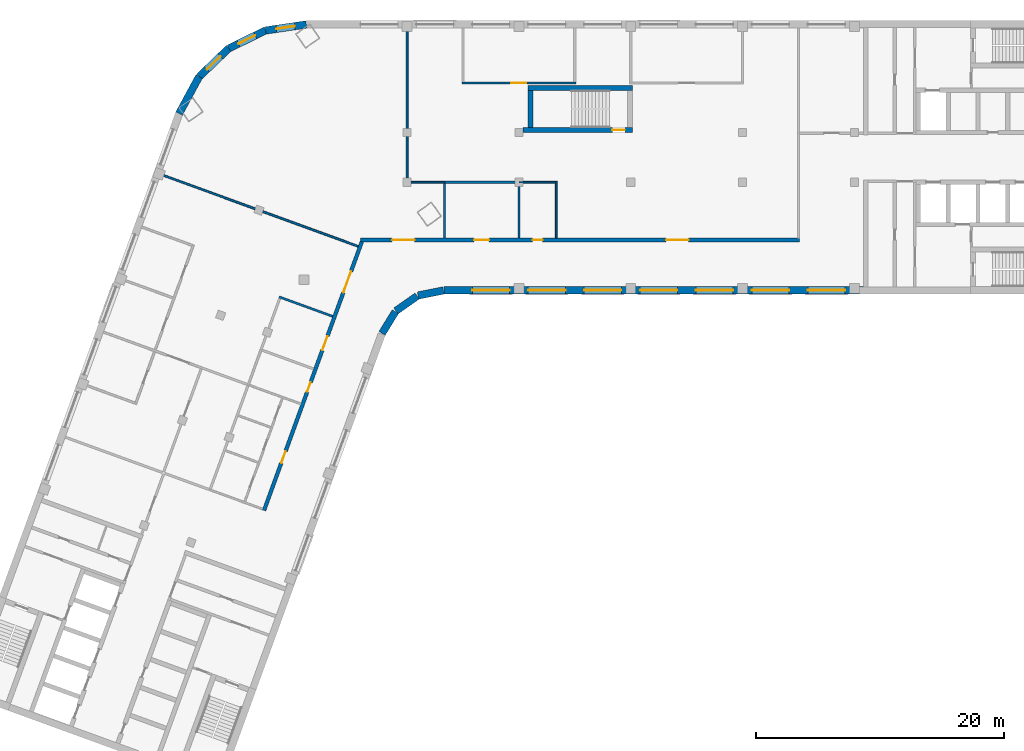
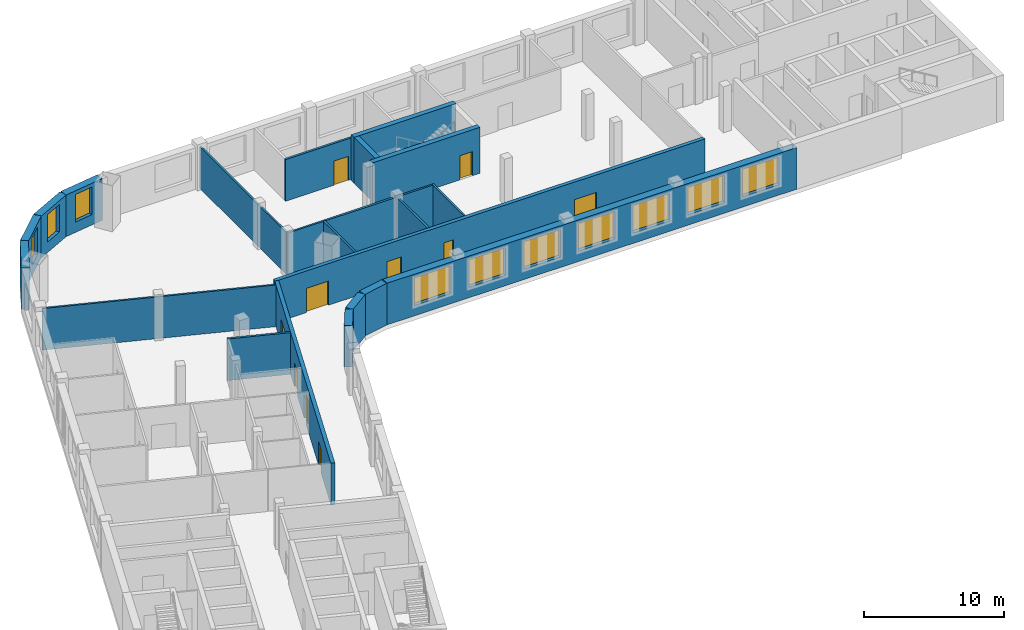
# One storey, part 4 of 8: 23 walls, 10 doors, 10 windows, 20 openings.
"""IFC4 building model written with IfcOpenShell, lengths in metres."""

from ifc_helpers import new_model, si_unit, direction, frame, frame_2d, origin, place, context, subcontext, project, spatial, rectangle, extrude, material, layer, layer_set, type_object, element, fill, save


model = new_model("IFC4")

# Units and contexts
model_context = context("Model", 3, precision=1e-05, world=origin(), true_north=direction((0.0, 1.0)))
body_context = subcontext(model_context, "Body", "Model", "MODEL_VIEW")
ifc_project = project(units=[si_unit("LENGTHUNIT", "METRE"), si_unit("AREAUNIT", "SQUARE_METRE"), si_unit("VOLUMEUNIT", "CUBIC_METRE"), si_unit("PLANEANGLEUNIT", "RADIAN"), si_unit("MASSUNIT", "GRAM", prefix="KILO")], contexts=[model_context])

# Site, building, storey
site_placement = place(None, origin())
site = spatial("IfcSite", under=ifc_project, at=site_placement, CompositionType="ELEMENT")
building_placement = place(site_placement, origin())
building = spatial("IfcBuilding", under=site, at=building_placement, Name="Skarvind Civic Tower", CompositionType="ELEMENT")
storey_placement = place(building_placement, frame((0.0, 0.0, 150.5)))
storey = spatial("IfcBuildingStorey", under=building, at=storey_placement, Name="L35", CompositionType="ELEMENT", Elevation=150.5)

# Walls
ifc_material_1 = material(Name="Acoustic gypsum board on steel studs", Category="steel")
ifc_layer_1 = layer(ifc_material_1, 0.175048828125)
ifc_layer_set_1 = layer_set([ifc_layer_1], Name="ACOUSTIC MEETING-ROOM PARTITION 175")
wall_type_1 = type_object("IfcWallType", Name="ACOUSTIC MEETING-ROOM PARTITION 175", PredefinedType="PARTITIONING", material=ifc_layer_set_1)
wall_1_placement = place(storey_placement, frame((48.260009765625, 115.205078125, 0.0), z_axis=(0.0, 0.0, 1.0), x_axis=(-0.939684589011, 0.34204220964, 0.0)))
element("IfcWall", 1, at=wall_1_placement, inside=storey, type_object=wall_type_1, Name="Partition 35.027", PredefinedType="PARTITIONING", context=body_context, shape_type="SweptSolid", body=[
    extrude(rectangle(XDim=4.586669921875, YDim=0.175048828125, at=frame_2d((2.29345703125, 0.0))), origin(), (0.0, 0.0, 1.0), 3.625),
])
wall_2_placement = place(storey_placement, frame((57.25, 125.9990234375, 0.0), z_axis=(0.0, 0.0, 1.0), x_axis=(0.0, -1.0, 0.0)))
element("IfcWall", 2, at=wall_2_placement, inside=storey, type_object=wall_type_1, Name="Partition 35.032", PredefinedType="PARTITIONING", context=body_context, shape_type="SweptSolid", body=[
    extrude(rectangle(XDim=4.498046875, YDim=0.175048828125, at=frame_2d((2.2490234375, 0.0))), origin(), (0.0, 0.0, 1.0), 3.625),
])
wall_3_placement = place(storey_placement, frame((63.25, 121.5, 0.0), z_axis=(0.0, 0.0, 1.0), x_axis=(0.0, 1.0, 0.0)))
element("IfcWall", 3, at=wall_3_placement, inside=storey, type_object=wall_type_1, Name="Partition 35.034", PredefinedType="PARTITIONING", context=body_context, shape_type="SweptSolid", body=[
    extrude(rectangle(XDim=4.412109375, YDim=0.175048828125, at=frame_2d((2.2060546875, 0.0))), origin(), (0.0, 0.0, 1.0), 3.625),
])
wall_4_placement = place(storey_placement, frame((63.25, 126.0, 0.0), z_axis=(0.0, 0.0, 1.0), x_axis=(-1.0, 0.0, 0.0)))
element("IfcWall", 4, at=wall_4_placement, inside=storey, type_object=wall_type_1, Name="Partition 35.035", PredefinedType="PARTITIONING", context=body_context, shape_type="SweptSolid", body=[
    extrude(rectangle(XDim=6.0, YDim=0.175048828125, at=frame_2d((3.0, 0.0))), origin(), (0.0, 0.0, 1.0), 3.625),
])

# Wall, opening, door
wall_5_placement = place(storey_placement, frame((67.837890625, 134.0, 0.0), z_axis=(0.0, 0.0, 1.0), x_axis=(-1.0, 0.0, 0.0)))
wall_5 = element("IfcWall", 5, at=wall_5_placement, inside=storey, type_object=wall_type_1, Name="Partition 35.038", PredefinedType="PARTITIONING", context=body_context, shape_type="SweptSolid", body=[
    extrude(rectangle(XDim=9.17578125, YDim=0.175048828125, at=frame_2d((4.587890625, 0.0))), origin(), (0.0, 0.0, 1.0), 3.625),
])
opening_1_placement = place(wall_5_placement, frame((3.988037109375, 0.0, 0.0)))
opening_1 = element("IfcOpeningElement", 6, at=opening_1_placement, cuts=wall_5, Name="Opening L35-D005", PredefinedType="OPENING", context=body_context, shape_type="SweptSolid", body=[
    extrude(rectangle(XDim=1.199951171875, YDim=2.10009765625, at=frame_2d((0.60009765625, 1.050048828125))), frame((0.0, 0.097412109375, 0.0), z_axis=(0.0, -1.0, 0.0), x_axis=(1.0, 0.0, 0.0)), (0.0, 0.0, 1.0), 0.195068359375),
])
ifc_material_2 = material(Name="Timber door leaf", Category="wood")
door_type_1 = type_object("IfcDoorType", Name="DOOR 1200X2100 DOUBLE TIMBER", OperationType="NOTDEFINED", PredefinedType="DOOR", material=ifc_material_2)
door_1_placement = place(opening_1_placement, origin())
door_1 = element("IfcDoor", 7, at=door_1_placement, inside=storey, type_object=door_type_1, Name="Door L35-D005", OperationType="DOUBLE_DOOR_SINGLE_SWING", OverallHeight=2.10009765625, OverallWidth=1.199951171875, PredefinedType="DOOR", context=body_context, shape_type="SweptSolid", body=[
    extrude(rectangle(XDim=1.199951171875, YDim=2.10009765625, at=frame_2d((0.60009765625, 1.050048828125))), frame((0.0, 0.02490234375, 0.0), z_axis=(0.0, -1.0, 0.0), x_axis=(1.0, 0.0, 0.0)), (0.0, 0.0, 1.0), 0.050048828125),
])
fill(opening_1, door_1)

# Wall, openings, doors
ifc_material_3 = material(Name="Fire-rated gypsum board on steel studs", Category="steel")
ifc_layer_2 = layer(ifc_material_3, 0.300048828125)
ifc_layer_set_2 = layer_set([ifc_layer_2], Name="CORRIDOR WALL 300")
wall_type_2 = type_object("IfcWallType", Name="CORRIDOR WALL 300", PredefinedType="PARTITIONING", material=ifc_layer_set_2)
wall_6_placement = place(storey_placement, frame((42.737060546875, 99.590087890625, 0.0), z_axis=(0.0, 0.0, 1.0), x_axis=(0.341992703977, 0.939702607438, 0.0)))
wall_6 = element("IfcWall", 8, at=wall_6_placement, inside=storey, type_object=wall_type_2, Name="Partition 35.023", PredefinedType="PARTITIONING", context=body_context, shape_type="SweptSolid", body=[
    extrude(rectangle(XDim=23.006103515625, YDim=0.300048828125, at=frame_2d((11.5029296875, 0.0))), origin(), (0.0, 0.0, 1.0), 3.625),
])
opening_2_placement = place(wall_6_placement, frame((4.0625, 0.0, 0.0)))
opening_2 = element("IfcOpeningElement", 9, at=opening_2_placement, cuts=wall_6, Name="Opening L35-D008", PredefinedType="OPENING", context=body_context, shape_type="SweptSolid", body=[
    extrude(rectangle(XDim=1.0, YDim=2.10009765625, at=frame_2d((0.5, 1.050048828125))), frame((0.0, 0.159912109375, 0.0), z_axis=(0.0, -1.0, 0.0), x_axis=(1.0, 0.0, 0.0)), (0.0, 0.0, 1.0), 0.320068359375),
])
opening_3_placement = place(wall_6_placement, frame((10.162353515625, 0.0, 0.0)))
opening_3 = element("IfcOpeningElement", 10, at=opening_3_placement, cuts=wall_6, Name="Opening L35-D014", PredefinedType="OPENING", context=body_context, shape_type="SweptSolid", body=[
    extrude(rectangle(XDim=0.800048828125, YDim=2.10009765625, at=frame_2d((0.39990234375, 1.050048828125))), frame((0.0, 0.159912109375, 0.0), z_axis=(0.0, -1.0, 0.0), x_axis=(1.0, 0.0, 0.0)), (0.0, 0.0, 1.0), 0.320068359375),
])
opening_4_placement = place(wall_6_placement, frame((13.71240234375, 0.0, 0.0)))
opening_4 = element("IfcOpeningElement", 11, at=opening_4_placement, cuts=wall_6, Name="Opening L35-D015", PredefinedType="OPENING", context=body_context, shape_type="SweptSolid", body=[
    extrude(rectangle(XDim=1.199951171875, YDim=2.10009765625, at=frame_2d((0.60009765625, 1.050048828125))), frame((0.0, 0.159912109375, 0.0), z_axis=(0.0, -1.0, 0.0), x_axis=(1.0, 0.0, 0.0)), (0.0, 0.0, 1.0), 0.320068359375),
])
opening_5_placement = place(wall_6_placement, frame((18.662353515625, 0.0, 0.0)))
opening_5 = element("IfcOpeningElement", 12, at=opening_5_placement, cuts=wall_6, Name="Opening L35-D018", PredefinedType="OPENING", context=body_context, shape_type="SweptSolid", body=[
    extrude(rectangle(XDim=1.800048828125, YDim=2.10009765625, at=frame_2d((0.89990234375, 1.050048828125))), frame((0.0, 0.159912109375, 0.0), z_axis=(0.0, -1.0, 0.0), x_axis=(1.0, 0.0, 0.0)), (0.0, 0.0, 1.0), 0.320068359375),
])
ifc_material_4 = material(Name="Fire-rated timber door leaf", Category="wood")
door_type_2 = type_object("IfcDoorType", Name="FD1 1000x2100", OperationType="NOTDEFINED", PredefinedType="DOOR", material=ifc_material_4)
door_2_placement = place(opening_2_placement, origin())
door_2 = element("IfcDoor", 13, at=door_2_placement, inside=storey, type_object=door_type_2, Name="Door L35-D008", OperationType="SINGLE_SWING_LEFT", OverallHeight=2.10009765625, OverallWidth=1.0, PredefinedType="DOOR", context=body_context, shape_type="SweptSolid", body=[
    extrude(rectangle(XDim=1.0, YDim=2.10009765625, at=frame_2d((0.5, 1.050048828125))), frame((0.0, 0.02490234375, 0.0), z_axis=(0.0, -1.0, 0.0), x_axis=(1.0, 0.0, 0.0)), (0.0, 0.0, 1.0), 0.050048828125),
])
fill(opening_2, door_2)
door_type_3 = type_object("IfcDoorType", Name="FD4 1800x2100", OperationType="NOTDEFINED", PredefinedType="DOOR", material=ifc_material_4)
door_3_placement = place(opening_5_placement, origin())
door_3 = element("IfcDoor", 14, at=door_3_placement, inside=storey, type_object=door_type_3, Name="Door L35-D018", OperationType="DOUBLE_DOOR_SINGLE_SWING", OverallHeight=2.10009765625, OverallWidth=1.800048828125, PredefinedType="DOOR", context=body_context, shape_type="SweptSolid", body=[
    extrude(rectangle(XDim=1.800048828125, YDim=2.10009765625, at=frame_2d((0.89990234375, 1.050048828125))), frame((0.0, 0.02490234375, 0.0), z_axis=(0.0, -1.0, 0.0), x_axis=(1.0, 0.0, 0.0)), (0.0, 0.0, 1.0), 0.050048828125),
])
fill(opening_5, door_3)
door_type_4 = type_object("IfcDoorType", Name="FD5 800x2100", OperationType="NOTDEFINED", PredefinedType="DOOR", material=ifc_material_4)
door_4_placement = place(opening_3_placement, origin())
door_4 = element("IfcDoor", 15, at=door_4_placement, inside=storey, type_object=door_type_4, Name="Door L35-D014", OperationType="SINGLE_SWING_RIGHT", OverallHeight=2.10009765625, OverallWidth=0.800048828125, PredefinedType="DOOR", context=body_context, shape_type="SweptSolid", body=[
    extrude(rectangle(XDim=0.800048828125, YDim=2.10009765625, at=frame_2d((0.39990234375, 1.050048828125))), frame((0.0, 0.02490234375, 0.0), z_axis=(0.0, -1.0, 0.0), x_axis=(1.0, 0.0, 0.0)), (0.0, 0.0, 1.0), 0.050048828125),
])
fill(opening_3, door_4)
door_type_5 = type_object("IfcDoorType", Name="FD6 1200x2100 DOUBLE", OperationType="NOTDEFINED", PredefinedType="DOOR", material=ifc_material_4)
door_5_placement = place(opening_4_placement, origin())
door_5 = element("IfcDoor", 16, at=door_5_placement, inside=storey, type_object=door_type_5, Name="Door L35-D015", OperationType="DOUBLE_DOOR_SINGLE_SWING", OverallHeight=2.10009765625, OverallWidth=1.199951171875, PredefinedType="DOOR", context=body_context, shape_type="SweptSolid", body=[
    extrude(rectangle(XDim=1.199951171875, YDim=2.10009765625, at=frame_2d((0.60009765625, 1.050048828125))), frame((0.0, 0.02490234375, 0.0), z_axis=(0.0, -1.0, 0.0), x_axis=(1.0, 0.0, 0.0)), (0.0, 0.0, 1.0), 0.050048828125),
])
fill(opening_4, door_5)

wall_7_placement = place(storey_placement, frame((50.506103515625, 121.35009765625, 0.0), z_axis=(0.0, 0.0, 1.0), x_axis=(1.0, 0.0, 0.0)))
wall_7 = element("IfcWall", 17, at=wall_7_placement, inside=storey, type_object=wall_type_2, Name="Partition 35.029", PredefinedType="PARTITIONING", context=body_context, shape_type="SweptSolid", body=[
    extrude(rectangle(XDim=35.31884765625, YDim=0.300048828125, at=frame_2d((17.659423828125, 0.0))), origin(), (0.0, 0.0, 1.0), 3.625),
])
opening_6_placement = place(wall_7_placement, frame((13.843994140625, 0.0, 0.0)))
opening_6 = element("IfcOpeningElement", 18, at=opening_6_placement, cuts=wall_7, Name="Opening L35-D002", PredefinedType="OPENING", context=body_context, shape_type="SweptSolid", body=[
    extrude(rectangle(XDim=0.800048828125, YDim=2.10009765625, at=frame_2d((0.39990234375, 1.050048828125))), frame((0.0, 0.159912109375, 0.0), z_axis=(0.0, -1.0, 0.0), x_axis=(1.0, 0.0, 0.0)), (0.0, 0.0, 1.0), 0.320068359375),
])
opening_7_placement = place(wall_7_placement, frame((9.14404296875, 0.0, 0.0)))
opening_7 = element("IfcOpeningElement", 19, at=opening_7_placement, cuts=wall_7, Name="Opening L35-D003", PredefinedType="OPENING", context=body_context, shape_type="SweptSolid", body=[
    extrude(rectangle(XDim=1.199951171875, YDim=2.10009765625, at=frame_2d((0.60009765625, 1.050048828125))), frame((0.0, 0.159912109375, 0.0), z_axis=(0.0, -1.0, 0.0), x_axis=(1.0, 0.0, 0.0)), (0.0, 0.0, 1.0), 0.320068359375),
])
opening_8_placement = place(wall_7_placement, frame((24.593994140625, 0.0, 0.0)))
opening_8 = element("IfcOpeningElement", 20, at=opening_8_placement, cuts=wall_7, Name="Opening L35-D006", PredefinedType="OPENING", context=body_context, shape_type="SweptSolid", body=[
    extrude(rectangle(XDim=1.800048828125, YDim=2.10009765625, at=frame_2d((0.89990234375, 1.050048828125))), frame((0.0, 0.159912109375, 0.0), z_axis=(0.0, -1.0, 0.0), x_axis=(1.0, 0.0, 0.0)), (0.0, 0.0, 1.0), 0.320068359375),
])
opening_9_placement = place(wall_7_placement, frame((2.54296875, 0.0, 0.0)))
opening_9 = element("IfcOpeningElement", 21, at=opening_9_placement, cuts=wall_7, Name="Opening L35-D019", PredefinedType="OPENING", context=body_context, shape_type="SweptSolid", body=[
    extrude(rectangle(XDim=1.800048828125, YDim=2.10009765625, at=frame_2d((0.89990234375, 1.050048828125))), frame((0.0, 0.159912109375, 0.0), z_axis=(0.0, -1.0, 0.0), x_axis=(1.0, 0.0, 0.0)), (0.0, 0.0, 1.0), 0.320068359375),
])
door_6_placement = place(opening_8_placement, origin())
door_6 = element("IfcDoor", 22, at=door_6_placement, inside=storey, type_object=door_type_3, Name="Door L35-D006", OperationType="DOUBLE_DOOR_SINGLE_SWING", OverallHeight=2.10009765625, OverallWidth=1.800048828125, PredefinedType="DOOR", context=body_context, shape_type="SweptSolid", body=[
    extrude(rectangle(XDim=1.800048828125, YDim=2.10009765625, at=frame_2d((0.89990234375, 1.050048828125))), frame((0.0, 0.02490234375, 0.0), z_axis=(0.0, -1.0, 0.0), x_axis=(1.0, 0.0, 0.0)), (0.0, 0.0, 1.0), 0.050048828125),
])
fill(opening_8, door_6)
door_7_placement = place(opening_9_placement, origin())
door_7 = element("IfcDoor", 23, at=door_7_placement, inside=storey, type_object=door_type_3, Name="Door L35-D019", OperationType="DOUBLE_DOOR_SINGLE_SWING", OverallHeight=2.10009765625, OverallWidth=1.800048828125, PredefinedType="DOOR", context=body_context, shape_type="SweptSolid", body=[
    extrude(rectangle(XDim=1.800048828125, YDim=2.10009765625, at=frame_2d((0.89990234375, 1.050048828125))), frame((0.0, 0.02490234375, 0.0), z_axis=(0.0, -1.0, 0.0), x_axis=(1.0, 0.0, 0.0)), (0.0, 0.0, 1.0), 0.050048828125),
])
fill(opening_9, door_7)
door_8_placement = place(opening_6_placement, origin())
door_8 = element("IfcDoor", 24, at=door_8_placement, inside=storey, type_object=door_type_4, Name="Door L35-D002", OperationType="SINGLE_SWING_LEFT", OverallHeight=2.10009765625, OverallWidth=0.800048828125, PredefinedType="DOOR", context=body_context, shape_type="SweptSolid", body=[
    extrude(rectangle(XDim=0.800048828125, YDim=2.10009765625, at=frame_2d((0.39990234375, 1.050048828125))), frame((0.0, 0.02490234375, 0.0), z_axis=(0.0, -1.0, 0.0), x_axis=(1.0, 0.0, 0.0)), (0.0, 0.0, 1.0), 0.050048828125),
])
fill(opening_6, door_8)
door_9_placement = place(opening_7_placement, origin())
door_9 = element("IfcDoor", 25, at=door_9_placement, inside=storey, type_object=door_type_5, Name="Door L35-D003", OperationType="DOUBLE_DOOR_SINGLE_SWING", OverallHeight=2.10009765625, OverallWidth=1.199951171875, PredefinedType="DOOR", context=body_context, shape_type="SweptSolid", body=[
    extrude(rectangle(XDim=1.199951171875, YDim=2.10009765625, at=frame_2d((0.60009765625, 1.050048828125))), frame((0.0, 0.02490234375, 0.0), z_axis=(0.0, -1.0, 0.0), x_axis=(1.0, 0.0, 0.0)), (0.0, 0.0, 1.0), 0.050048828125),
])
fill(opening_7, door_9)

# Wall, opening, door
ifc_material_5 = material(Name="Concrete C60", Category="concrete")
ifc_layer_3 = layer(ifc_material_5, 0.39990234375)
ifc_layer_set_3 = layer_set([ifc_layer_3], Name="Core wall 400 C60")
wall_type_3 = type_object("IfcWallType", Name="Core wall 400 C60", PredefinedType="SHEAR", material=ifc_layer_set_3)
wall_8_placement = place(storey_placement, frame((63.574951171875, 130.199951171875, 0.0), z_axis=(0.0, 0.0, 1.0), x_axis=(1.0, 0.0, 0.0)))
wall_8 = element("IfcWall", 26, at=wall_8_placement, inside=storey, type_object=wall_type_3, Name="Core wall CM inner L35", PredefinedType="SHEAR", context=body_context, shape_type="SweptSolid", body=[
    extrude(rectangle(XDim=8.824951171875, YDim=0.39990234375, at=frame_2d((4.41259765625, 0.0))), origin(), (0.0, 0.0, 1.0), 4.0),
])
opening_10_placement = place(wall_8_placement, frame((7.199951171875, 0.0, 0.0)))
opening_10 = element("IfcOpeningElement", 27, at=opening_10_placement, cuts=wall_8, Name="Opening D-L35-CM-01", PredefinedType="OPENING", context=body_context, shape_type="SweptSolid", body=[
    extrude(rectangle(XDim=1.0, YDim=2.10009765625, at=frame_2d((0.5, 1.050048828125))), frame((0.0, 0.2099609375, 0.0), z_axis=(0.0, -1.0, 0.0), x_axis=(1.0, 0.0, 0.0)), (0.0, 0.0, 1.0), 0.419921875),
])
ifc_material_6 = material(Name="Fire-rated steel door", Category="steel")
door_type_6 = type_object("IfcDoorType", Name="Fire door 1000", OperationType="NOTDEFINED", PredefinedType="DOOR", material=ifc_material_6)
door_10_placement = place(opening_10_placement, origin())
door_10 = element("IfcDoor", 28, at=door_10_placement, inside=storey, type_object=door_type_6, Name="Fire door", OperationType="SINGLE_SWING_LEFT", OverallHeight=2.10009765625, OverallWidth=1.0, PredefinedType="DOOR", context=body_context, shape_type="SweptSolid", body=[
    extrude(rectangle(XDim=1.0, YDim=2.10009765625, at=frame_2d((0.5, 1.050048828125))), frame((0.0, 0.02490234375, 0.0), z_axis=(0.0, -1.0, 0.0), x_axis=(1.0, 0.0, 0.0)), (0.0, 0.0, 1.0), 0.050048828125),
])
fill(opening_10, door_10)

# Walls
wall_9_placement = place(storey_placement, frame((64.0, 133.60009765625, 0.0), z_axis=(0.0, 0.0, 1.0), x_axis=(1.0, 0.0, 0.0)))
element("IfcWall", 29, at=wall_9_placement, inside=storey, type_object=wall_type_3, Name="Core wall CM outer L35", PredefinedType="SHEAR", context=body_context, shape_type="SweptSolid", body=[
    extrude(rectangle(XDim=8.39990234375, YDim=0.39990234375, at=frame_2d((4.199951171875, 0.0))), origin(), (0.0, 0.0, 1.0), 4.0),
])
wall_10_placement = place(storey_placement, frame((64.199951171875, 130.39990234375, 0.0), z_axis=(0.0, 0.0, 1.0), x_axis=(0.0, 1.0, 0.0)))
element("IfcWall", 30, at=wall_10_placement, inside=storey, type_object=wall_type_3, Name="Core wall CM west L35", PredefinedType="SHEAR", context=body_context, shape_type="SweptSolid", body=[
    extrude(rectangle(XDim=3.0, YDim=0.39990234375, at=frame_2d((1.5, 0.0))), origin(), (0.0, 0.0, 1.0), 4.0),
])
ifc_material_7 = material(Name="Plasterboard partition on steel studs", Category="steel")
ifc_layer_4 = layer(ifc_material_7, 0.14990234375)
ifc_layer_set_4 = layer_set([ifc_layer_4], Name="PARTITION 150")
wall_type_4 = type_object("IfcWallType", Name="PARTITION 150", PredefinedType="PARTITIONING", material=ifc_layer_set_4)
wall_11_placement = place(storey_placement, frame((50.31103515625, 120.843017578125, 0.0), z_axis=(0.0, 0.0, 1.0), x_axis=(-0.939664702396, 0.342096838733, 0.0)))
element("IfcWall", 31, at=wall_11_placement, inside=storey, type_object=wall_type_4, Name="Partition 35.028", PredefinedType="PARTITIONING", context=body_context, shape_type="SweptSolid", body=[
    extrude(rectangle(XDim=16.898681640625, YDim=0.14990234375, at=frame_2d((8.44921875, 0.0))), origin(), (0.0, 0.0, 1.0), 3.625),
])
wall_12_placement = place(storey_placement, frame((54.25, 138.39892578125, 0.0), z_axis=(0.0, 0.0, 1.0), x_axis=(0.0, -1.0, 0.0)))
element("IfcWall", 32, at=wall_12_placement, inside=storey, type_object=wall_type_4, Name="Partition 35.030", PredefinedType="PARTITIONING", context=body_context, shape_type="SweptSolid", body=[
    extrude(rectangle(XDim=12.39697265625, YDim=0.14990234375, at=frame_2d((6.198486328125, 0.0))), origin(), (0.0, 0.0, 1.0), 3.625),
])
wall_13_placement = place(storey_placement, frame((54.251953125, 126.0, 0.0), z_axis=(0.0, 0.0, 1.0), x_axis=(1.0, 0.0, 0.0)))
element("IfcWall", 33, at=wall_13_placement, inside=storey, type_object=wall_type_4, Name="Partition 35.031", PredefinedType="PARTITIONING", context=body_context, shape_type="SweptSolid", body=[
    extrude(rectangle(XDim=2.9970703125, YDim=0.14990234375, at=frame_2d((1.49853515625, 0.0))), origin(), (0.0, 0.0, 1.0), 3.625),
])
wall_14_placement = place(storey_placement, frame((66.25, 121.5, 0.0), z_axis=(0.0, 0.0, 1.0), x_axis=(0.0, 1.0, 0.0)))
element("IfcWall", 34, at=wall_14_placement, inside=storey, type_object=wall_type_4, Name="Partition 35.036", PredefinedType="PARTITIONING", context=body_context, shape_type="SweptSolid", body=[
    extrude(rectangle(XDim=4.574951171875, YDim=0.14990234375, at=frame_2d((2.28759765625, 0.0))), origin(), (0.0, 0.0, 1.0), 3.625),
])
wall_15_placement = place(storey_placement, frame((66.175048828125, 126.0, 0.0), z_axis=(0.0, 0.0, 1.0), x_axis=(-1.0, 0.0, 0.0)))
element("IfcWall", 35, at=wall_15_placement, inside=storey, type_object=wall_type_4, Name="Partition 35.037", PredefinedType="PARTITIONING", context=body_context, shape_type="SweptSolid", body=[
    extrude(rectangle(XDim=2.925048828125, YDim=0.14990234375, at=frame_2d((1.46240234375, 0.0))), origin(), (0.0, 0.0, 1.0), 3.625),
])
ifc_material_8 = material(Name="Limestone masonry cladding on insulated backing", Category="masonry")
ifc_layer_5 = layer(ifc_material_8, 0.60009765625)
ifc_layer_set_5 = layer_set([ifc_layer_5], Name="WX1 STONE FACADE WALL 600")
wall_type_5 = type_object("IfcWallType", Name="WX1 STONE FACADE WALL 600", PredefinedType="SOLIDWALL", material=ifc_layer_set_5)
wall_16_placement = place(storey_placement, frame((53.30517578125, 115.578369140625, 0.0), z_axis=(0.0, 0.0, 1.0), x_axis=(-0.522402266438, -0.852699168535, 0.0)))
element("IfcWall", 36, at=wall_16_placement, inside=storey, type_object=wall_type_5, Name="STONE FACADE WALL", PredefinedType="SOLIDWALL", context=body_context, shape_type="SweptSolid", body=[
    extrude(rectangle(XDim=2.042236328125, YDim=0.60009765625, at=frame_2d((1.02099609375, 0.0))), origin(), (0.0, 0.0, 1.0), 3.625),
])
for number, where, z_axis, x_axis, name in (
    (37, (55.061767578125, 116.8388671875, 0.0), (0.0, 0.0, 1.0), (-0.819122269495, -0.573618956815, 0.0), "STONE FACADE WALL"),
    (38, (57.17529296875, 117.2939453125, 0.0), (0.0, 0.0, 1.0), (-0.97996099083, -0.19918949885, 0.0), "STONE FACADE WALL"),
):
    element("IfcWall", number, at=place(storey_placement, frame(where, z_axis=z_axis, x_axis=x_axis)), inside=storey, type_object=wall_type_5, Name=name, PredefinedType="SOLIDWALL", context=body_context, shape_type="SweptSolid", body=[
        extrude(rectangle(XDim=2.09228515625, YDim=0.60009765625, at=frame_2d((1.046142578125, 0.0))), origin(), (0.0, 0.0, 1.0), 3.625),
    ])

# Wall, openings, windows
wall_17_placement = place(storey_placement, frame((90.97998046875, 117.300048828125, 0.0), z_axis=(0.0, 0.0, 1.0), x_axis=(-1.0, 0.0, 0.0)))
wall_17 = element("IfcWall", 39, at=wall_17_placement, inside=storey, type_object=wall_type_5, Name="STONE FACADE WALL", PredefinedType="SOLIDWALL", context=body_context, shape_type="SweptSolid", body=[
    extrude(rectangle(XDim=33.744873046875, YDim=0.60009765625, at=frame_2d((16.87255859375, 0.0))), origin(), (0.0, 0.0, 1.0), 3.625),
])
opening_11_placement = place(wall_17_placement, frame((1.47998046875, 0.0, 0.89990234375)))
opening_11 = element("IfcOpeningElement", 40, at=opening_11_placement, cuts=wall_17, Name="Opening WN1", PredefinedType="OPENING", context=body_context, shape_type="SweptSolid", body=[
    extrude(rectangle(XDim=3.0, YDim=2.39990234375, at=frame_2d((1.5, 1.199951171875))), frame((0.0, 0.31005859375, 0.0), z_axis=(0.0, -1.0, 0.0), x_axis=(1.0, 0.0, 0.0)), (0.0, 0.0, 1.0), 0.6201171875),
])
opening_12_placement = place(wall_17_placement, frame((5.97998046875, 0.0, 0.89990234375)))
opening_12 = element("IfcOpeningElement", 41, at=opening_12_placement, cuts=wall_17, Name="Opening WN1", PredefinedType="OPENING", context=body_context, shape_type="SweptSolid", body=[
    extrude(rectangle(XDim=3.0, YDim=2.39990234375, at=frame_2d((1.5, 1.199951171875))), frame((0.0, 0.31005859375, 0.0), z_axis=(0.0, -1.0, 0.0), x_axis=(1.0, 0.0, 0.0)), (0.0, 0.0, 1.0), 0.6201171875),
])
opening_13_placement = place(wall_17_placement, frame((10.47998046875, 0.0, 0.89990234375)))
opening_13 = element("IfcOpeningElement", 42, at=opening_13_placement, cuts=wall_17, Name="Opening WN1", PredefinedType="OPENING", context=body_context, shape_type="SweptSolid", body=[
    extrude(rectangle(XDim=3.0, YDim=2.39990234375, at=frame_2d((1.5, 1.199951171875))), frame((0.0, 0.31005859375, 0.0), z_axis=(0.0, -1.0, 0.0), x_axis=(1.0, 0.0, 0.0)), (0.0, 0.0, 1.0), 0.6201171875),
])
opening_14_placement = place(wall_17_placement, frame((14.97998046875, 0.0, 0.89990234375)))
opening_14 = element("IfcOpeningElement", 43, at=opening_14_placement, cuts=wall_17, Name="Opening WN1", PredefinedType="OPENING", context=body_context, shape_type="SweptSolid", body=[
    extrude(rectangle(XDim=3.0, YDim=2.39990234375, at=frame_2d((1.5, 1.199951171875))), frame((0.0, 0.31005859375, 0.0), z_axis=(0.0, -1.0, 0.0), x_axis=(1.0, 0.0, 0.0)), (0.0, 0.0, 1.0), 0.6201171875),
])
opening_15_placement = place(wall_17_placement, frame((19.47998046875, 0.0, 0.89990234375)))
opening_15 = element("IfcOpeningElement", 44, at=opening_15_placement, cuts=wall_17, Name="Opening WN1", PredefinedType="OPENING", context=body_context, shape_type="SweptSolid", body=[
    extrude(rectangle(XDim=3.0, YDim=2.39990234375, at=frame_2d((1.5, 1.199951171875))), frame((0.0, 0.31005859375, 0.0), z_axis=(0.0, -1.0, 0.0), x_axis=(1.0, 0.0, 0.0)), (0.0, 0.0, 1.0), 0.6201171875),
])
opening_16_placement = place(wall_17_placement, frame((23.97998046875, 0.0, 0.89990234375)))
opening_16 = element("IfcOpeningElement", 45, at=opening_16_placement, cuts=wall_17, Name="Opening WN1", PredefinedType="OPENING", context=body_context, shape_type="SweptSolid", body=[
    extrude(rectangle(XDim=3.0, YDim=2.39990234375, at=frame_2d((1.5, 1.199951171875))), frame((0.0, 0.31005859375, 0.0), z_axis=(0.0, -1.0, 0.0), x_axis=(1.0, 0.0, 0.0)), (0.0, 0.0, 1.0), 0.6201171875),
])
opening_17_placement = place(wall_17_placement, frame((28.47998046875, 0.0, 0.89990234375)))
opening_17 = element("IfcOpeningElement", 46, at=opening_17_placement, cuts=wall_17, Name="Opening WN1", PredefinedType="OPENING", context=body_context, shape_type="SweptSolid", body=[
    extrude(rectangle(XDim=3.0, YDim=2.39990234375, at=frame_2d((1.5, 1.199951171875))), frame((0.0, 0.31005859375, 0.0), z_axis=(0.0, -1.0, 0.0), x_axis=(1.0, 0.0, 0.0)), (0.0, 0.0, 1.0), 0.6201171875),
])
ifc_material_9 = material(Name="Timber frame, double glazing, timber-lined reveal", Category="wood")
window_type_1 = type_object("IfcWindowType", Name="WN1 PUNCHED STONE WINDOW 3000 x 2400", PartitioningType="SINGLE_PANEL", PredefinedType="WINDOW", material=ifc_material_9)
window_1_placement = place(opening_11_placement, origin())
window_1 = element("IfcWindow", 47, at=window_1_placement, inside=storey, type_object=window_type_1, Name="WN1 WINDOW", OverallHeight=2.39990234375, OverallWidth=3.0, PartitioningType="SINGLE_PANEL", PredefinedType="WINDOW", context=body_context, shape_type="SweptSolid", body=[
    extrude(rectangle(XDim=3.0, YDim=2.39990234375, at=frame_2d((1.5, 1.199951171875))), frame((0.0, 0.030029296875, 0.0), z_axis=(0.0, -1.0, 0.0), x_axis=(1.0, 0.0, 0.0)), (0.0, 0.0, 1.0), 0.06005859375),
])
fill(opening_11, window_1)
window_2_placement = place(opening_12_placement, origin())
window_2 = element("IfcWindow", 48, at=window_2_placement, inside=storey, type_object=window_type_1, Name="WN1 WINDOW", OverallHeight=2.39990234375, OverallWidth=3.0, PartitioningType="SINGLE_PANEL", PredefinedType="WINDOW", context=body_context, shape_type="SweptSolid", body=[
    extrude(rectangle(XDim=3.0, YDim=2.39990234375, at=frame_2d((1.5, 1.199951171875))), frame((0.0, 0.030029296875, 0.0), z_axis=(0.0, -1.0, 0.0), x_axis=(1.0, 0.0, 0.0)), (0.0, 0.0, 1.0), 0.06005859375),
])
fill(opening_12, window_2)
window_3_placement = place(opening_13_placement, origin())
window_3 = element("IfcWindow", 49, at=window_3_placement, inside=storey, type_object=window_type_1, Name="WN1 WINDOW", OverallHeight=2.39990234375, OverallWidth=3.0, PartitioningType="SINGLE_PANEL", PredefinedType="WINDOW", context=body_context, shape_type="SweptSolid", body=[
    extrude(rectangle(XDim=3.0, YDim=2.39990234375, at=frame_2d((1.5, 1.199951171875))), frame((0.0, 0.030029296875, 0.0), z_axis=(0.0, -1.0, 0.0), x_axis=(1.0, 0.0, 0.0)), (0.0, 0.0, 1.0), 0.06005859375),
])
fill(opening_13, window_3)
window_4_placement = place(opening_14_placement, origin())
window_4 = element("IfcWindow", 50, at=window_4_placement, inside=storey, type_object=window_type_1, Name="WN1 WINDOW", OverallHeight=2.39990234375, OverallWidth=3.0, PartitioningType="SINGLE_PANEL", PredefinedType="WINDOW", context=body_context, shape_type="SweptSolid", body=[
    extrude(rectangle(XDim=3.0, YDim=2.39990234375, at=frame_2d((1.5, 1.199951171875))), frame((0.0, 0.030029296875, 0.0), z_axis=(0.0, -1.0, 0.0), x_axis=(1.0, 0.0, 0.0)), (0.0, 0.0, 1.0), 0.06005859375),
])
fill(opening_14, window_4)
window_5_placement = place(opening_15_placement, origin())
window_5 = element("IfcWindow", 51, at=window_5_placement, inside=storey, type_object=window_type_1, Name="WN1 WINDOW", OverallHeight=2.39990234375, OverallWidth=3.0, PartitioningType="SINGLE_PANEL", PredefinedType="WINDOW", context=body_context, shape_type="SweptSolid", body=[
    extrude(rectangle(XDim=3.0, YDim=2.39990234375, at=frame_2d((1.5, 1.199951171875))), frame((0.0, 0.030029296875, 0.0), z_axis=(0.0, -1.0, 0.0), x_axis=(1.0, 0.0, 0.0)), (0.0, 0.0, 1.0), 0.06005859375),
])
fill(opening_15, window_5)
window_6_placement = place(opening_16_placement, origin())
window_6 = element("IfcWindow", 52, at=window_6_placement, inside=storey, type_object=window_type_1, Name="WN1 WINDOW", OverallHeight=2.39990234375, OverallWidth=3.0, PartitioningType="SINGLE_PANEL", PredefinedType="WINDOW", context=body_context, shape_type="SweptSolid", body=[
    extrude(rectangle(XDim=3.0, YDim=2.39990234375, at=frame_2d((1.5, 1.199951171875))), frame((0.0, 0.030029296875, 0.0), z_axis=(0.0, -1.0, 0.0), x_axis=(1.0, 0.0, 0.0)), (0.0, 0.0, 1.0), 0.06005859375),
])
fill(opening_16, window_6)
window_7_placement = place(opening_17_placement, origin())
window_7 = element("IfcWindow", 53, at=window_7_placement, inside=storey, type_object=window_type_1, Name="WN1 WINDOW", OverallHeight=2.39990234375, OverallWidth=3.0, PartitioningType="SINGLE_PANEL", PredefinedType="WINDOW", context=body_context, shape_type="SweptSolid", body=[
    extrude(rectangle(XDim=3.0, YDim=2.39990234375, at=frame_2d((1.5, 1.199951171875))), frame((0.0, 0.030029296875, 0.0), z_axis=(0.0, -1.0, 0.0), x_axis=(1.0, 0.0, 0.0)), (0.0, 0.0, 1.0), 0.06005859375),
])
fill(opening_17, window_7)

# Wall, opening, window
wall_18_placement = place(storey_placement, frame((42.872802734375, 138.21728515625, 0.0), z_axis=(0.0, 0.0, 1.0), x_axis=(0.989110792192, 0.14717282619, 0.0)))
wall_18 = element("IfcWall", 54, at=wall_18_placement, inside=storey, type_object=wall_type_5, Name="STONE FACADE WALL", PredefinedType="SOLIDWALL", context=body_context, shape_type="SweptSolid", body=[
    extrude(rectangle(XDim=3.302734375, YDim=0.60009765625, at=frame_2d((1.6513671875, 0.0))), origin(), (0.0, 0.0, 1.0), 3.625),
])
opening_18_placement = place(wall_18_placement, frame((0.8564453125, 0.0, 0.89990234375)))
opening_18 = element("IfcOpeningElement", 55, at=opening_18_placement, cuts=wall_18, Name="Opening WN8", PredefinedType="OPENING", context=body_context, shape_type="SweptSolid", body=[
    extrude(rectangle(XDim=1.5, YDim=2.39990234375, at=frame_2d((0.75, 1.199951171875))), frame((0.0, 0.31005859375, 0.0), z_axis=(0.0, -1.0, 0.0), x_axis=(1.0, 0.0, 0.0)), (0.0, 0.0, 1.0), 0.6201171875),
])
window_type_2 = type_object("IfcWindowType", Name="WN8 ARC BAY WINDOW 1500 x 2400", PartitioningType="SINGLE_PANEL", PredefinedType="WINDOW", material=ifc_material_9)
window_8_placement = place(opening_18_placement, origin())
window_8 = element("IfcWindow", 56, at=window_8_placement, inside=storey, type_object=window_type_2, Name="WN8 WINDOW", OverallHeight=2.39990234375, OverallWidth=1.5, PartitioningType="SINGLE_PANEL", PredefinedType="WINDOW", context=body_context, shape_type="SweptSolid", body=[
    extrude(rectangle(XDim=1.5, YDim=2.39990234375, at=frame_2d((0.75, 1.199951171875))), frame((0.0, 0.030029296875, 0.0), z_axis=(0.0, -1.0, 0.0), x_axis=(1.0, 0.0, 0.0)), (0.0, 0.0, 1.0), 0.06005859375),
])
fill(opening_18, window_8)

wall_19_placement = place(storey_placement, frame((39.9072265625, 136.77587890625, 0.0), z_axis=(0.0, 0.0, 1.0), x_axis=(0.89761231107, 0.440785819889, 0.0)))
wall_19 = element("IfcWall", 57, at=wall_19_placement, inside=storey, type_object=wall_type_5, Name="STONE FACADE WALL", PredefinedType="SOLIDWALL", context=body_context, shape_type="SweptSolid", body=[
    extrude(rectangle(XDim=3.302734375, YDim=0.60009765625, at=frame_2d((1.6513671875, 0.0))), origin(), (0.0, 0.0, 1.0), 3.625),
])
opening_19_placement = place(wall_19_placement, frame((0.8564453125, 0.0, 0.89990234375)))
opening_19 = element("IfcOpeningElement", 58, at=opening_19_placement, cuts=wall_19, Name="Opening WN8", PredefinedType="OPENING", context=body_context, shape_type="SweptSolid", body=[
    extrude(rectangle(XDim=1.5, YDim=2.39990234375, at=frame_2d((0.75, 1.199951171875))), frame((0.0, 0.31005859375, 0.0), z_axis=(0.0, -1.0, 0.0), x_axis=(1.0, 0.0, 0.0)), (0.0, 0.0, 1.0), 0.6201171875),
])
window_9_placement = place(opening_19_placement, origin())
window_9 = element("IfcWindow", 59, at=window_9_placement, inside=storey, type_object=window_type_2, Name="WN8 WINDOW", OverallHeight=2.39990234375, OverallWidth=1.5, PartitioningType="SINGLE_PANEL", PredefinedType="WINDOW", context=body_context, shape_type="SweptSolid", body=[
    extrude(rectangle(XDim=1.5, YDim=2.39990234375, at=frame_2d((0.75, 1.199951171875))), frame((0.0, 0.030029296875, 0.0), z_axis=(0.0, -1.0, 0.0), x_axis=(1.0, 0.0, 0.0)), (0.0, 0.0, 1.0), 0.06005859375),
])
fill(opening_19, window_9)

wall_20_placement = place(storey_placement, frame((37.520263671875, 134.501220703125, 0.0), z_axis=(0.0, 0.0, 1.0), x_axis=(0.72115684486, 0.692771827596, 0.0)))
wall_20 = element("IfcWall", 60, at=wall_20_placement, inside=storey, type_object=wall_type_5, Name="STONE FACADE WALL", PredefinedType="SOLIDWALL", context=body_context, shape_type="SweptSolid", body=[
    extrude(rectangle(XDim=3.302734375, YDim=0.60009765625, at=frame_2d((1.6513671875, 0.0))), origin(), (0.0, 0.0, 1.0), 3.625),
])
opening_20_placement = place(wall_20_placement, frame((0.8564453125, 0.0, 0.89990234375)))
opening_20 = element("IfcOpeningElement", 61, at=opening_20_placement, cuts=wall_20, Name="Opening WN8", PredefinedType="OPENING", context=body_context, shape_type="SweptSolid", body=[
    extrude(rectangle(XDim=1.5, YDim=2.39990234375, at=frame_2d((0.75, 1.199951171875))), frame((0.0, 0.31005859375, 0.0), z_axis=(0.0, -1.0, 0.0), x_axis=(1.0, 0.0, 0.0)), (0.0, 0.0, 1.0), 0.6201171875),
])
window_10_placement = place(opening_20_placement, origin())
window_10 = element("IfcWindow", 62, at=window_10_placement, inside=storey, type_object=window_type_2, Name="WN8 WINDOW", OverallHeight=2.39990234375, OverallWidth=1.5, PartitioningType="SINGLE_PANEL", PredefinedType="WINDOW", context=body_context, shape_type="SweptSolid", body=[
    extrude(rectangle(XDim=1.5, YDim=2.39990234375, at=frame_2d((0.75, 1.199951171875))), frame((0.0, 0.030029296875, 0.0), z_axis=(0.0, -1.0, 0.0), x_axis=(1.0, 0.0, 0.0)), (0.0, 0.0, 1.0), 0.06005859375),
])
fill(opening_20, window_10)

# Wall
wall_21_placement = place(storey_placement, frame((35.89453125, 131.529541015625, 0.0), z_axis=(0.0, 0.0, 1.0), x_axis=(0.476531180538, 0.879157570618, 0.0)))
element("IfcWall", 63, at=wall_21_placement, inside=storey, type_object=wall_type_5, Name="STONE FACADE WALL", PredefinedType="SOLIDWALL", context=body_context, shape_type="SweptSolid", body=[
    extrude(rectangle(XDim=3.392578125, YDim=0.60009765625, at=frame_2d((1.6962890625, 0.0))), origin(), (0.0, 0.0, 1.0), 3.625),
])

save(model, "model.ifc")
